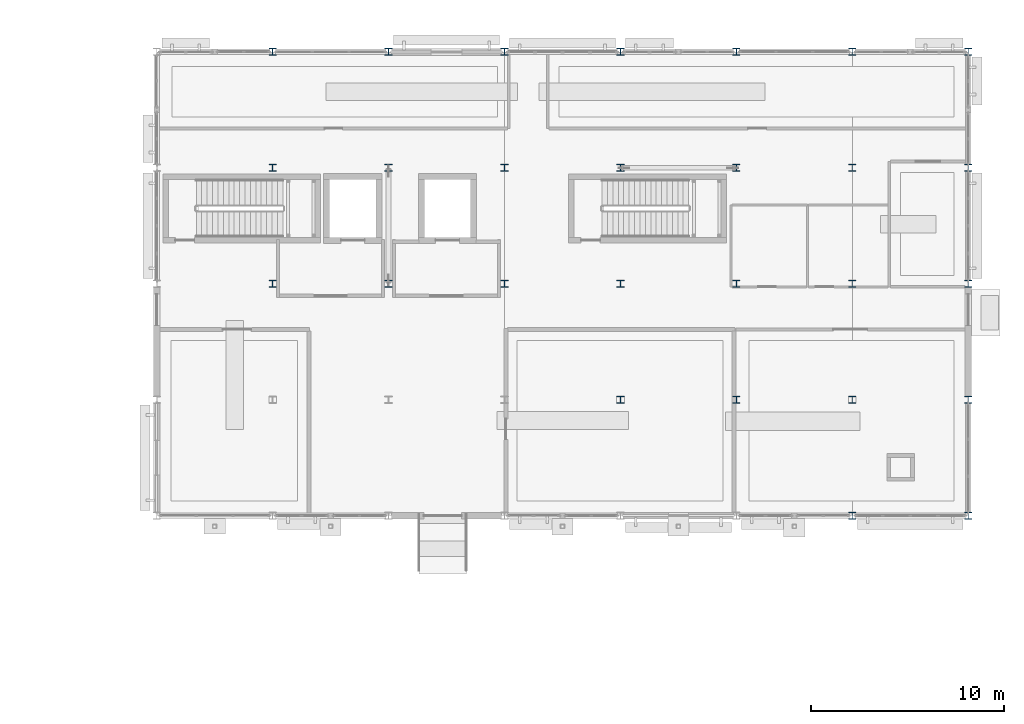
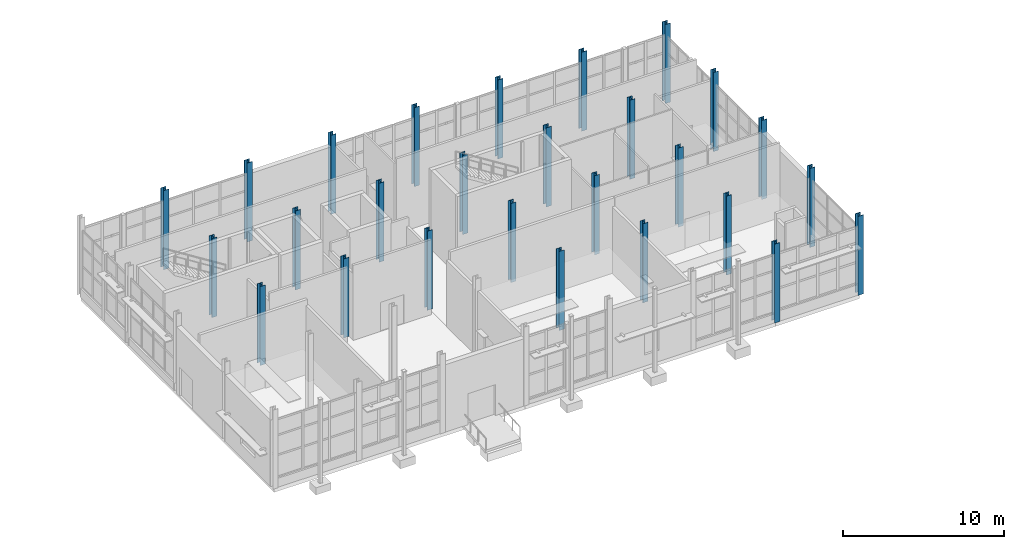
# One storey, part 28 of 120: 27 columns.
"""IFC4 building model written with IfcOpenShell, lengths in metres."""

from ifc_helpers import new_model, si_unit, direction, frame, origin, origin_2d, place, context, subcontext, project, spatial, i_section, extrude, material, material_profile, profile_set, type_object, element, save


model = new_model("IFC4")

# Units and contexts
model_context = context("Model", 3, precision=1e-05, world=origin(), true_north=direction((0.0, 1.0)))
body_context = subcontext(model_context, "Body", "Model", "MODEL_VIEW")
ifc_project = project(units=[si_unit("LENGTHUNIT", "METRE"), si_unit("AREAUNIT", "SQUARE_METRE"), si_unit("VOLUMEUNIT", "CUBIC_METRE"), si_unit("PLANEANGLEUNIT", "RADIAN"), si_unit("MASSUNIT", "GRAM", prefix="KILO")], contexts=[model_context])

# Site, building, storey
site_placement = place(None, origin())
site = spatial("IfcSite", under=ifc_project, at=site_placement, CompositionType="ELEMENT")
building_placement = place(site_placement, origin())
building = spatial("IfcBuilding", under=site, at=building_placement, Name="Siltcreek Boulevard Central Fire Station", CompositionType="ELEMENT")
storey_placement = place(building_placement, origin())
storey = spatial("IfcBuildingStorey", under=building, at=storey_placement, Name="L01", CompositionType="ELEMENT", Elevation=0.0)

# Columns
ifc_material = material(Name="Structural steel ASTM A992 Gr50", Category="steel")
ifc_material_profile = material_profile(ifc_material, i_section(OverallWidth=0.3740234375, OverallDepth=0.3720703125, WebThickness=0.016357421875, FlangeThickness=0.026123046875, at=origin_2d()), Name="W360X196")
ifc_profile_set = profile_set([ifc_material_profile], Name="Structural steel ASTM A992 Gr50")
column_type = type_object("IfcColumnType", Name="COL_W360X196", PredefinedType="COLUMN", material=ifc_profile_set)
for number, where, z_axis, x_axis, name in (
    (1, (130.199951171875, 100.199951171875, 0.0), (0.0, 0.0, 1.0), (1.0, 0.0, 0.0), "L01 structural column COLG-L01-1302-1002"),
    (2, (130.199951171875, 106.199951171875, 0.0), (0.0, 0.0, 1.0), (1.0, 0.0, 0.0), "L01 structural column COLG-L01-1302-1062"),
    (3, (130.199951171875, 112.199951171875, 0.0), (0.0, 0.0, 1.0), (1.0, 0.0, 0.0), "L01 structural column COLG-L01-1302-1122"),
    (4, (136.199951171875, 100.199951171875, 0.0), (0.0, 0.0, 1.0), (1.0, 0.0, 0.0), "L01 structural column COLG-L01-1362-1002"),
    (5, (136.199951171875, 106.199951171875, 0.0), (0.0, 0.0, 1.0), (1.0, 0.0, 0.0), "L01 structural column COLG-L01-1362-1062"),
    (6, (136.199951171875, 112.199951171875, 0.0), (0.0, 0.0, 1.0), (1.0, 0.0, 0.0), "L01 structural column COLG-L01-1362-1122"),
    (7, (142.199951171875, 100.199951171875, 0.0), (0.0, 0.0, 1.0), (1.0, 0.0, 0.0), "L01 structural column COLG-L01-1422-1002"),
    (8, (142.199951171875, 106.199951171875, 0.0), (0.0, 0.0, 1.0), (1.0, 0.0, 0.0), "L01 structural column COLG-L01-1422-1062"),
    (9, (142.199951171875, 112.199951171875, 0.0), (0.0, 0.0, 1.0), (1.0, 0.0, 0.0), "L01 structural column COLG-L01-1422-1122"),
    (10, (148.199951171875, 94.199951171875, 0.0), (0.0, 0.0, 1.0), (1.0, 0.0, 0.0), "L01 structural column COLG-L01-1482-942"),
    (11, (148.199951171875, 100.199951171875, 0.0), (0.0, 0.0, 1.0), (1.0, 0.0, 0.0), "L01 structural column COLG-L01-1482-1002"),
    (12, (148.199951171875, 106.199951171875, 0.0), (0.0, 0.0, 1.0), (1.0, 0.0, 0.0), "L01 structural column COLG-L01-1482-1062"),
    (13, (148.199951171875, 112.199951171875, 0.0), (0.0, 0.0, 1.0), (1.0, 0.0, 0.0), "L01 structural column COLG-L01-1482-1122"),
    (14, (154.199951171875, 94.199951171875, 0.0), (0.0, 0.0, 1.0), (1.0, 0.0, 0.0), "L01 structural column COLG-L01-1542-942"),
    (15, (154.199951171875, 100.199951171875, 0.0), (0.0, 0.0, 1.0), (1.0, 0.0, 0.0), "L01 structural column COLG-L01-1542-1002"),
    (16, (154.199951171875, 106.199951171875, 0.0), (0.0, 0.0, 1.0), (1.0, 0.0, 0.0), "L01 structural column COLG-L01-1542-1062"),
    (17, (154.199951171875, 112.199951171875, 0.0), (0.0, 0.0, 1.0), (1.0, 0.0, 0.0), "L01 structural column COLG-L01-1542-1122"),
    (18, (160.199951171875, 88.199951171875, 0.0), (0.0, 0.0, 1.0), (1.0, 0.0, 0.0), "L01 structural column COLG-L01-1602-882"),
    (19, (160.199951171875, 94.199951171875, 0.0), (0.0, 0.0, 1.0), (1.0, 0.0, 0.0), "L01 structural column COLG-L01-1602-942"),
    (20, (160.199951171875, 100.199951171875, 0.0), (0.0, 0.0, 1.0), (1.0, 0.0, 0.0), "L01 structural column COLG-L01-1602-1002"),
    (21, (160.199951171875, 106.199951171875, 0.0), (0.0, 0.0, 1.0), (1.0, 0.0, 0.0), "L01 structural column COLG-L01-1602-1062"),
    (22, (160.199951171875, 112.199951171875, 0.0), (0.0, 0.0, 1.0), (1.0, 0.0, 0.0), "L01 structural column COLG-L01-1602-1122"),
    (23, (166.199951171875, 88.199951171875, 0.0), (0.0, 0.0, 1.0), (1.0, 0.0, 0.0), "L01 structural column COLG-L01-1662-882"),
    (24, (166.199951171875, 94.199951171875, 0.0), (0.0, 0.0, 1.0), (1.0, 0.0, 0.0), "L01 structural column COLG-L01-1662-942"),
    (25, (166.199951171875, 100.199951171875, 0.0), (0.0, 0.0, 1.0), (1.0, 0.0, 0.0), "L01 structural column COLG-L01-1662-1002"),
    (26, (166.199951171875, 106.199951171875, 0.0), (0.0, 0.0, 1.0), (1.0, 0.0, 0.0), "L01 structural column COLG-L01-1662-1062"),
    (27, (166.199951171875, 112.199951171875, 0.0), (0.0, 0.0, 1.0), (1.0, 0.0, 0.0), "L01 structural column COLG-L01-1662-1122"),
):
    element("IfcColumn", number, at=place(storey_placement, frame(where, z_axis=z_axis, x_axis=x_axis)), inside=storey, type_object=column_type, Name=name, PredefinedType="COLUMN", context=body_context, shape_type="SweptSolid", body=[
        extrude(i_section(OverallWidth=0.3740234375, OverallDepth=0.3720703125, WebThickness=0.016357421875, FlangeThickness=0.026123046875, at=origin_2d()), origin(), (0.0, 0.0, 1.0), 6.0),
    ])

save(model, "model.ifc")
